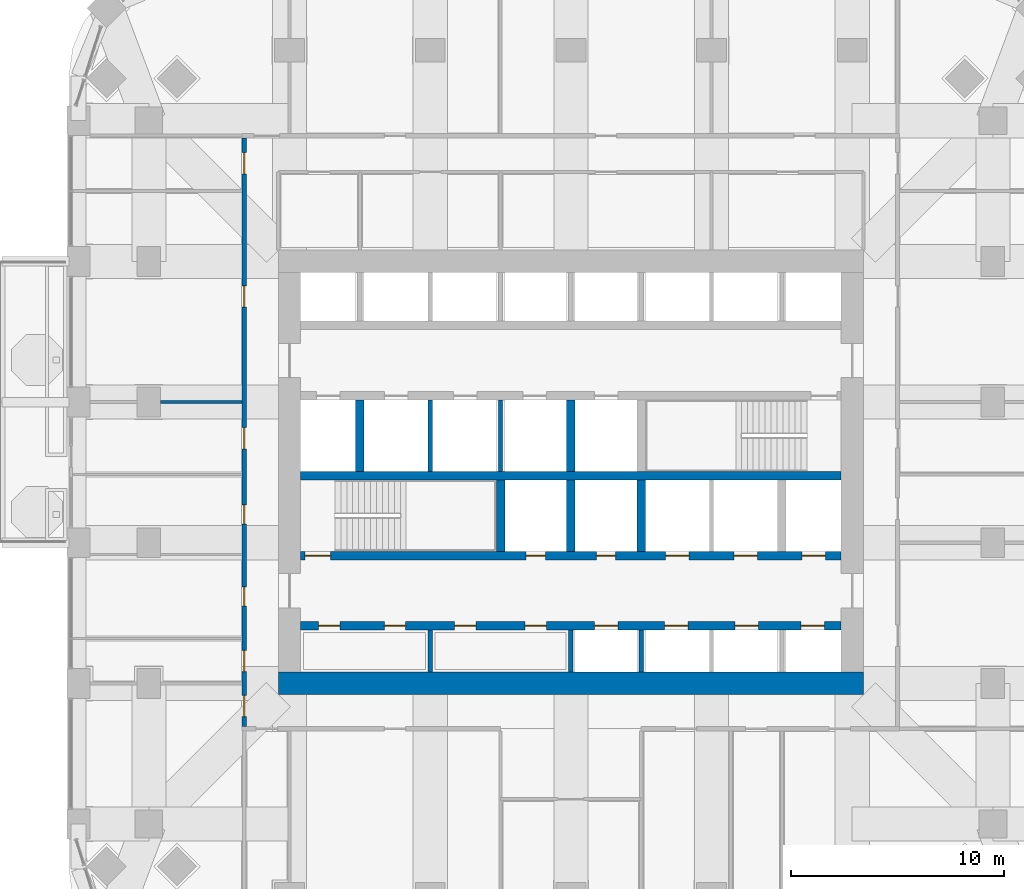
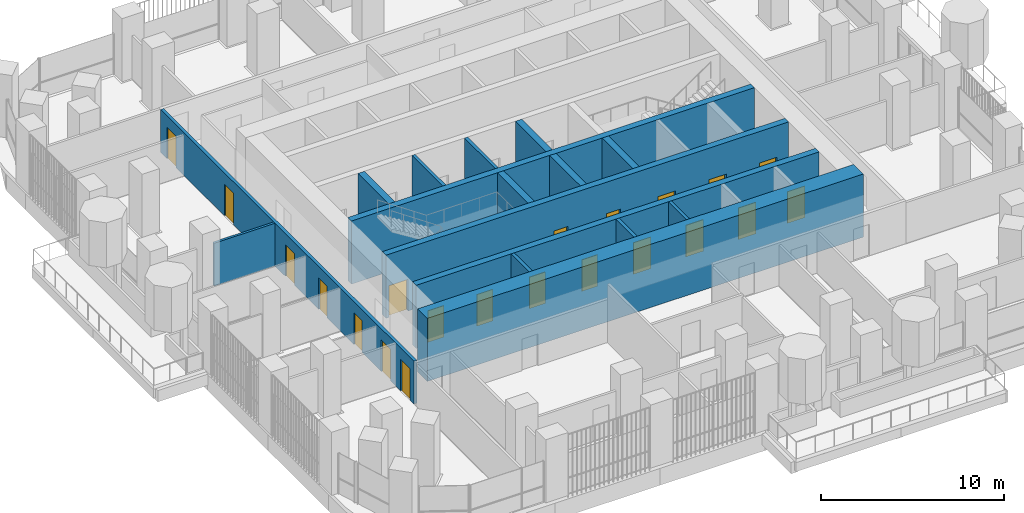
# One storey, part 15 of 23: 21 doors, 16 walls, 21 openings.
"""IFC4 building model written with IfcOpenShell, lengths in metres."""

from ifc_helpers import new_model, si_unit, direction, frame, frame_2d, origin, place, context, subcontext, project, spatial, rectangle, extrude, material, layer, layer_set, type_object, element, fill, save


model = new_model("IFC4")

# Units and contexts
model_context = context("Model", 3, precision=1e-05, world=origin(), true_north=direction((0.0, 1.0)))
body_context = subcontext(model_context, "Body", "Model", "MODEL_VIEW")
ifc_project = project(units=[si_unit("LENGTHUNIT", "METRE"), si_unit("AREAUNIT", "SQUARE_METRE"), si_unit("VOLUMEUNIT", "CUBIC_METRE"), si_unit("PLANEANGLEUNIT", "RADIAN"), si_unit("MASSUNIT", "GRAM", prefix="KILO")], contexts=[model_context])

# Site, building, storey
site_placement = place(None, origin())
site = spatial("IfcSite", under=ifc_project, at=site_placement, CompositionType="ELEMENT")
building_placement = place(site_placement, origin())
building = spatial("IfcBuilding", under=site, at=building_placement, Name="Cobogo Forest Laboratory Tower", CompositionType="ELEMENT")
storey_placement = place(building_placement, frame((0.0, 0.0, 128.39990234375)))
storey = spatial("IfcBuildingStorey", under=building, at=storey_placement, Name="L29", CompositionType="ELEMENT", Elevation=128.39990234375)

# Wall, openings, doors
ifc_material_1 = material(Name="Concrete HA-50 (C50/60)", Category="concrete")
ifc_layer_1 = layer(ifc_material_1, 0.39990234375)
ifc_layer_set_1 = layer_set([ifc_layer_1], Name="CI400 core inner wall 400")
wall_type_1 = type_object("IfcWallType", Name="CI400 core inner wall 400", PredefinedType="SHEAR", material=ifc_layer_set_1)
wall_1_placement = place(storey_placement, frame((13.72509765625, 15.89990234375, 0.0), z_axis=(0.0, 0.0, 1.0), x_axis=(1.0, 0.0, 0.0)))
wall_1 = element("IfcWall", 1, at=wall_1_placement, inside=storey, type_object=wall_type_1, Name="Core wall CI-15.9 L29", PredefinedType="SHEAR", context=body_context, shape_type="SweptSolid", body=[
    extrude(rectangle(XDim=25.349853515625, YDim=0.39990234375, at=frame_2d((12.6748046875, 0.0))), origin(), (0.0, 0.0, 1.0), 4.2001953125),
])
opening_1_placement = place(wall_1_placement, frame((0.83740234375, 0.0, 0.0)))
opening_1 = element("IfcOpeningElement", 2, at=opening_1_placement, cuts=wall_1, Name="Opening L29-D14", PredefinedType="OPENING", context=body_context, shape_type="SweptSolid", body=[
    extrude(rectangle(XDim=1.0, YDim=2.10009765625, at=frame_2d((0.5, 1.050048828125))), frame((0.0, 0.2099609375, 0.0), z_axis=(0.0, -1.0, 0.0), x_axis=(1.0, 0.0, 0.0)), (0.0, 0.0, 1.0), 0.419921875),
])
opening_2_placement = place(wall_1_placement, frame((3.925048828125, 0.0, 0.0)))
opening_2 = element("IfcOpeningElement", 3, at=opening_2_placement, cuts=wall_1, Name="Opening L29-D15", PredefinedType="OPENING", context=body_context, shape_type="SweptSolid", body=[
    extrude(rectangle(XDim=1.0, YDim=2.10009765625, at=frame_2d((0.5, 1.050048828125))), frame((0.0, 0.2099609375, 0.0), z_axis=(0.0, -1.0, 0.0), x_axis=(1.0, 0.0, 0.0)), (0.0, 0.0, 1.0), 0.419921875),
])
opening_3_placement = place(wall_1_placement, frame((7.22509765625, 0.0, 0.0)))
opening_3 = element("IfcOpeningElement", 4, at=opening_3_placement, cuts=wall_1, Name="Opening L29-D16", PredefinedType="OPENING", context=body_context, shape_type="SweptSolid", body=[
    extrude(rectangle(XDim=1.0, YDim=2.10009765625, at=frame_2d((0.5, 1.050048828125))), frame((0.0, 0.2099609375, 0.0), z_axis=(0.0, -1.0, 0.0), x_axis=(1.0, 0.0, 0.0)), (0.0, 0.0, 1.0), 0.419921875),
])
opening_4_placement = place(wall_1_placement, frame((10.52490234375, 0.0, 0.0)))
opening_4 = element("IfcOpeningElement", 5, at=opening_4_placement, cuts=wall_1, Name="Opening L29-D17", PredefinedType="OPENING", context=body_context, shape_type="SweptSolid", body=[
    extrude(rectangle(XDim=1.0, YDim=2.10009765625, at=frame_2d((0.5, 1.050048828125))), frame((0.0, 0.2099609375, 0.0), z_axis=(0.0, -1.0, 0.0), x_axis=(1.0, 0.0, 0.0)), (0.0, 0.0, 1.0), 0.419921875),
])
opening_5_placement = place(wall_1_placement, frame((13.77490234375, 0.0, 0.0)))
opening_5 = element("IfcOpeningElement", 6, at=opening_5_placement, cuts=wall_1, Name="Opening L29-LD-LB1", PredefinedType="OPENING", context=body_context, shape_type="SweptSolid", body=[
    extrude(rectangle(XDim=1.10009765625, YDim=2.10009765625, at=frame_2d((0.550048828125, 1.050048828125))), frame((0.0, 0.2099609375, 0.0), z_axis=(0.0, -1.0, 0.0), x_axis=(1.0, 0.0, 0.0)), (0.0, 0.0, 1.0), 0.419921875),
])
opening_6_placement = place(wall_1_placement, frame((17.074951171875, 0.0, 0.0)))
opening_6 = element("IfcOpeningElement", 7, at=opening_6_placement, cuts=wall_1, Name="Opening L29-LD-LB2", PredefinedType="OPENING", context=body_context, shape_type="SweptSolid", body=[
    extrude(rectangle(XDim=1.10009765625, YDim=2.10009765625, at=frame_2d((0.550048828125, 1.050048828125))), frame((0.0, 0.2099609375, 0.0), z_axis=(0.0, -1.0, 0.0), x_axis=(1.0, 0.0, 0.0)), (0.0, 0.0, 1.0), 0.419921875),
])
opening_7_placement = place(wall_1_placement, frame((20.375, 0.0, 0.0)))
opening_7 = element("IfcOpeningElement", 8, at=opening_7_placement, cuts=wall_1, Name="Opening L29-LD-LB3", PredefinedType="OPENING", context=body_context, shape_type="SweptSolid", body=[
    extrude(rectangle(XDim=1.10009765625, YDim=2.10009765625, at=frame_2d((0.550048828125, 1.050048828125))), frame((0.0, 0.2099609375, 0.0), z_axis=(0.0, -1.0, 0.0), x_axis=(1.0, 0.0, 0.0)), (0.0, 0.0, 1.0), 0.419921875),
])
opening_8_placement = place(wall_1_placement, frame((23.46240234375, 0.0, 0.0)))
opening_8 = element("IfcOpeningElement", 9, at=opening_8_placement, cuts=wall_1, Name="Opening L29-LD-LB4", PredefinedType="OPENING", context=body_context, shape_type="SweptSolid", body=[
    extrude(rectangle(XDim=1.10009765625, YDim=2.10009765625, at=frame_2d((0.550048828125, 1.050048828125))), frame((0.0, 0.2099609375, 0.0), z_axis=(0.0, -1.0, 0.0), x_axis=(1.0, 0.0, 0.0)), (0.0, 0.0, 1.0), 0.419921875),
])
ifc_material_2 = material(Name="Steel fire door", Category="steel")
door_type_1 = type_object("IfcDoorType", Name="FD1 fire door 1000 EI2 60", OperationType="SINGLE_SWING_LEFT", PredefinedType="DOOR", material=ifc_material_2)
door_1_placement = place(opening_1_placement, origin())
door_1 = element("IfcDoor", 10, at=door_1_placement, inside=storey, type_object=door_type_1, Name="Door L29-SH-LA1", OperationType="SINGLE_SWING_LEFT", OverallHeight=2.10009765625, OverallWidth=1.0, PredefinedType="DOOR", context=body_context, shape_type="SweptSolid", body=[
    extrude(rectangle(XDim=1.0, YDim=2.10009765625, at=frame_2d((0.5, 1.050048828125))), frame((0.0, 0.02490234375, 0.0), z_axis=(0.0, -1.0, 0.0), x_axis=(1.0, 0.0, 0.0)), (0.0, 0.0, 1.0), 0.050048828125),
])
fill(opening_1, door_1)
door_2_placement = place(opening_2_placement, origin())
door_2 = element("IfcDoor", 11, at=door_2_placement, inside=storey, type_object=door_type_1, Name="Door L29-SH-LA2", OperationType="SINGLE_SWING_LEFT", OverallHeight=2.10009765625, OverallWidth=1.0, PredefinedType="DOOR", context=body_context, shape_type="SweptSolid", body=[
    extrude(rectangle(XDim=1.0, YDim=2.10009765625, at=frame_2d((0.5, 1.050048828125))), frame((0.0, 0.02490234375, 0.0), z_axis=(0.0, -1.0, 0.0), x_axis=(1.0, 0.0, 0.0)), (0.0, 0.0, 1.0), 0.050048828125),
])
fill(opening_2, door_2)
door_3_placement = place(opening_3_placement, origin())
door_3 = element("IfcDoor", 12, at=door_3_placement, inside=storey, type_object=door_type_1, Name="Door L29-SH-LA3", OperationType="SINGLE_SWING_LEFT", OverallHeight=2.10009765625, OverallWidth=1.0, PredefinedType="DOOR", context=body_context, shape_type="SweptSolid", body=[
    extrude(rectangle(XDim=1.0, YDim=2.10009765625, at=frame_2d((0.5, 1.050048828125))), frame((0.0, 0.02490234375, 0.0), z_axis=(0.0, -1.0, 0.0), x_axis=(1.0, 0.0, 0.0)), (0.0, 0.0, 1.0), 0.050048828125),
])
fill(opening_3, door_3)
door_4_placement = place(opening_4_placement, origin())
door_4 = element("IfcDoor", 13, at=door_4_placement, inside=storey, type_object=door_type_1, Name="Door L29-SH-LA4", OperationType="SINGLE_SWING_LEFT", OverallHeight=2.10009765625, OverallWidth=1.0, PredefinedType="DOOR", context=body_context, shape_type="SweptSolid", body=[
    extrude(rectangle(XDim=1.0, YDim=2.10009765625, at=frame_2d((0.5, 1.050048828125))), frame((0.0, 0.02490234375, 0.0), z_axis=(0.0, -1.0, 0.0), x_axis=(1.0, 0.0, 0.0)), (0.0, 0.0, 1.0), 0.050048828125),
])
fill(opening_4, door_4)
ifc_material_3 = material(Name="Stainless steel lift door", Category="steel")
door_type_2 = type_object("IfcDoorType", Name="LD lift landing door 1100", OperationType="DOUBLE_DOOR_SLIDING", PredefinedType="DOOR", material=ifc_material_3)
door_5_placement = place(opening_5_placement, origin())
door_5 = element("IfcDoor", 14, at=door_5_placement, inside=storey, type_object=door_type_2, Name="Lift landing door LB1 L29", OperationType="DOUBLE_DOOR_SLIDING", OverallHeight=2.10009765625, OverallWidth=1.10009765625, PredefinedType="DOOR", context=body_context, shape_type="SweptSolid", body=[
    extrude(rectangle(XDim=1.10009765625, YDim=2.10009765625, at=frame_2d((0.550048828125, 1.050048828125))), frame((0.0, 0.02490234375, 0.0), z_axis=(0.0, -1.0, 0.0), x_axis=(1.0, 0.0, 0.0)), (0.0, 0.0, 1.0), 0.050048828125),
])
fill(opening_5, door_5)
door_6_placement = place(opening_6_placement, origin())
door_6 = element("IfcDoor", 15, at=door_6_placement, inside=storey, type_object=door_type_2, Name="Lift landing door LB2 L29", OperationType="DOUBLE_DOOR_SLIDING", OverallHeight=2.10009765625, OverallWidth=1.10009765625, PredefinedType="DOOR", context=body_context, shape_type="SweptSolid", body=[
    extrude(rectangle(XDim=1.10009765625, YDim=2.10009765625, at=frame_2d((0.550048828125, 1.050048828125))), frame((0.0, 0.02490234375, 0.0), z_axis=(0.0, -1.0, 0.0), x_axis=(1.0, 0.0, 0.0)), (0.0, 0.0, 1.0), 0.050048828125),
])
fill(opening_6, door_6)
door_7_placement = place(opening_7_placement, origin())
door_7 = element("IfcDoor", 16, at=door_7_placement, inside=storey, type_object=door_type_2, Name="Lift landing door LB3 L29", OperationType="DOUBLE_DOOR_SLIDING", OverallHeight=2.10009765625, OverallWidth=1.10009765625, PredefinedType="DOOR", context=body_context, shape_type="SweptSolid", body=[
    extrude(rectangle(XDim=1.10009765625, YDim=2.10009765625, at=frame_2d((0.550048828125, 1.050048828125))), frame((0.0, 0.02490234375, 0.0), z_axis=(0.0, -1.0, 0.0), x_axis=(1.0, 0.0, 0.0)), (0.0, 0.0, 1.0), 0.050048828125),
])
fill(opening_7, door_7)
door_8_placement = place(opening_8_placement, origin())
door_8 = element("IfcDoor", 17, at=door_8_placement, inside=storey, type_object=door_type_2, Name="Lift landing door LB4 L29", OperationType="DOUBLE_DOOR_SLIDING", OverallHeight=2.10009765625, OverallWidth=1.10009765625, PredefinedType="DOOR", context=body_context, shape_type="SweptSolid", body=[
    extrude(rectangle(XDim=1.10009765625, YDim=2.10009765625, at=frame_2d((0.550048828125, 1.050048828125))), frame((0.0, 0.02490234375, 0.0), z_axis=(0.0, -1.0, 0.0), x_axis=(1.0, 0.0, 0.0)), (0.0, 0.0, 1.0), 0.050048828125),
])
fill(opening_8, door_8)

wall_2_placement = place(storey_placement, frame((13.72509765625, 19.199951171875, 0.0), z_axis=(0.0, 0.0, 1.0), x_axis=(1.0, 0.0, 0.0)))
wall_2 = element("IfcWall", 18, at=wall_2_placement, inside=storey, type_object=wall_type_1, Name="Core wall CI-19.2 L29", PredefinedType="SHEAR", context=body_context, shape_type="SweptSolid", body=[
    extrude(rectangle(XDim=25.349853515625, YDim=0.39990234375, at=frame_2d((12.6748046875, 0.0))), origin(), (0.0, 0.0, 1.0), 4.2001953125),
])
opening_9_placement = place(wall_2_placement, frame((10.574951171875, 0.0, 0.0)))
opening_9 = element("IfcOpeningElement", 19, at=opening_9_placement, cuts=wall_2, Name="Opening L29-D22", PredefinedType="OPENING", context=body_context, shape_type="SweptSolid", body=[
    extrude(rectangle(XDim=0.89990234375, YDim=2.10009765625, at=frame_2d((0.449951171875, 1.050048828125))), frame((0.0, 0.2099609375, 0.0), z_axis=(0.0, -1.0, 0.0), x_axis=(1.0, 0.0, 0.0)), (0.0, 0.0, 1.0), 0.419921875),
])
opening_10_placement = place(wall_2_placement, frame((13.875, 0.0, 0.0)))
opening_10 = element("IfcOpeningElement", 20, at=opening_10_placement, cuts=wall_2, Name="Opening L29-D23", PredefinedType="OPENING", context=body_context, shape_type="SweptSolid", body=[
    extrude(rectangle(XDim=0.89990234375, YDim=2.10009765625, at=frame_2d((0.449951171875, 1.050048828125))), frame((0.0, 0.2099609375, 0.0), z_axis=(0.0, -1.0, 0.0), x_axis=(1.0, 0.0, 0.0)), (0.0, 0.0, 1.0), 0.419921875),
])
opening_11_placement = place(wall_2_placement, frame((0.199951171875, 0.0, 0.0)))
opening_11 = element("IfcOpeningElement", 21, at=opening_11_placement, cuts=wall_2, Name="Opening L29-D21", PredefinedType="OPENING", context=body_context, shape_type="SweptSolid", body=[
    extrude(rectangle(XDim=1.199951171875, YDim=2.10009765625, at=frame_2d((0.60009765625, 1.050048828125))), frame((0.0, 0.2099609375, 0.0), z_axis=(0.0, -1.0, 0.0), x_axis=(1.0, 0.0, 0.0)), (0.0, 0.0, 1.0), 0.419921875),
])
opening_12_placement = place(wall_2_placement, frame((23.512451171875, 0.0, 0.0)))
opening_12 = element("IfcOpeningElement", 22, at=opening_12_placement, cuts=wall_2, Name="Opening L29-LD-FL2", PredefinedType="OPENING", context=body_context, shape_type="SweptSolid", body=[
    extrude(rectangle(XDim=1.10009765625, YDim=2.10009765625, at=frame_2d((0.550048828125, 1.050048828125))), frame((0.0, 0.2099609375, 0.0), z_axis=(0.0, -1.0, 0.0), x_axis=(1.0, 0.0, 0.0)), (0.0, 0.0, 1.0), 0.419921875),
])
opening_13_placement = place(wall_2_placement, frame((17.125, 0.0, 0.0)))
opening_13 = element("IfcOpeningElement", 23, at=opening_13_placement, cuts=wall_2, Name="Opening L29-LD-LS1", PredefinedType="OPENING", context=body_context, shape_type="SweptSolid", body=[
    extrude(rectangle(XDim=1.10009765625, YDim=2.10009765625, at=frame_2d((0.550048828125, 1.050048828125))), frame((0.0, 0.2099609375, 0.0), z_axis=(0.0, -1.0, 0.0), x_axis=(1.0, 0.0, 0.0)), (0.0, 0.0, 1.0), 0.419921875),
])
opening_14_placement = place(wall_2_placement, frame((20.324951171875, 0.0, 0.0)))
opening_14 = element("IfcOpeningElement", 24, at=opening_14_placement, cuts=wall_2, Name="Opening L29-LD-LS2", PredefinedType="OPENING", context=body_context, shape_type="SweptSolid", body=[
    extrude(rectangle(XDim=1.10009765625, YDim=2.10009765625, at=frame_2d((0.550048828125, 1.050048828125))), frame((0.0, 0.2099609375, 0.0), z_axis=(0.0, -1.0, 0.0), x_axis=(1.0, 0.0, 0.0)), (0.0, 0.0, 1.0), 0.419921875),
])
door_type_3 = type_object("IfcDoorType", Name="DS1 protected stair door 1200 EI2 60", OperationType="SINGLE_SWING_LEFT", PredefinedType="DOOR", material=ifc_material_2)
door_9_placement = place(opening_11_placement, origin())
door_9 = element("IfcDoor", 25, at=door_9_placement, inside=storey, type_object=door_type_3, Name="Door L29-ST1", OperationType="SINGLE_SWING_LEFT", OverallHeight=2.10009765625, OverallWidth=1.199951171875, PredefinedType="DOOR", context=body_context, shape_type="SweptSolid", body=[
    extrude(rectangle(XDim=1.199951171875, YDim=2.10009765625, at=frame_2d((0.60009765625, 1.050048828125))), frame((0.0, 0.02490234375, 0.0), z_axis=(0.0, -1.0, 0.0), x_axis=(1.0, 0.0, 0.0)), (0.0, 0.0, 1.0), 0.050048828125),
])
fill(opening_11, door_9)
door_type_4 = type_object("IfcDoorType", Name="FD4 riser access door 900 EI2 60", OperationType="SINGLE_SWING_LEFT", PredefinedType="DOOR", material=ifc_material_2)
door_10_placement = place(opening_9_placement, origin())
door_10 = element("IfcDoor", 26, at=door_10_placement, inside=storey, type_object=door_type_4, Name="Door L29-R1", OperationType="SINGLE_SWING_LEFT", OverallHeight=2.10009765625, OverallWidth=0.89990234375, PredefinedType="DOOR", context=body_context, shape_type="SweptSolid", body=[
    extrude(rectangle(XDim=0.89990234375, YDim=2.10009765625, at=frame_2d((0.449951171875, 1.050048828125))), frame((0.0, 0.02490234375, 0.0), z_axis=(0.0, -1.0, 0.0), x_axis=(1.0, 0.0, 0.0)), (0.0, 0.0, 1.0), 0.050048828125),
])
fill(opening_9, door_10)
door_11_placement = place(opening_10_placement, origin())
door_11 = element("IfcDoor", 27, at=door_11_placement, inside=storey, type_object=door_type_4, Name="Door L29-R2", OperationType="SINGLE_SWING_RIGHT", OverallHeight=2.10009765625, OverallWidth=0.89990234375, PredefinedType="DOOR", context=body_context, shape_type="SweptSolid", body=[
    extrude(rectangle(XDim=0.89990234375, YDim=2.10009765625, at=frame_2d((0.449951171875, 1.050048828125))), frame((0.0, 0.02490234375, 0.0), z_axis=(0.0, -1.0, 0.0), x_axis=(1.0, 0.0, 0.0)), (0.0, 0.0, 1.0), 0.050048828125),
])
fill(opening_10, door_11)
door_12_placement = place(opening_12_placement, origin())
door_12 = element("IfcDoor", 28, at=door_12_placement, inside=storey, type_object=door_type_2, Name="Lift landing door FL2 L29", OperationType="DOUBLE_DOOR_SLIDING", OverallHeight=2.10009765625, OverallWidth=1.10009765625, PredefinedType="DOOR", context=body_context, shape_type="SweptSolid", body=[
    extrude(rectangle(XDim=1.10009765625, YDim=2.10009765625, at=frame_2d((0.550048828125, 1.050048828125))), frame((0.0, 0.02490234375, 0.0), z_axis=(0.0, -1.0, 0.0), x_axis=(1.0, 0.0, 0.0)), (0.0, 0.0, 1.0), 0.050048828125),
])
fill(opening_12, door_12)
door_13_placement = place(opening_13_placement, origin())
door_13 = element("IfcDoor", 29, at=door_13_placement, inside=storey, type_object=door_type_2, Name="Lift landing door LS1 L29", OperationType="DOUBLE_DOOR_SLIDING", OverallHeight=2.10009765625, OverallWidth=1.10009765625, PredefinedType="DOOR", context=body_context, shape_type="SweptSolid", body=[
    extrude(rectangle(XDim=1.10009765625, YDim=2.10009765625, at=frame_2d((0.550048828125, 1.050048828125))), frame((0.0, 0.02490234375, 0.0), z_axis=(0.0, -1.0, 0.0), x_axis=(1.0, 0.0, 0.0)), (0.0, 0.0, 1.0), 0.050048828125),
])
fill(opening_13, door_13)
door_14_placement = place(opening_14_placement, origin())
door_14 = element("IfcDoor", 30, at=door_14_placement, inside=storey, type_object=door_type_2, Name="Lift landing door LS2 L29", OperationType="DOUBLE_DOOR_SLIDING", OverallHeight=2.10009765625, OverallWidth=1.10009765625, PredefinedType="DOOR", context=body_context, shape_type="SweptSolid", body=[
    extrude(rectangle(XDim=1.10009765625, YDim=2.10009765625, at=frame_2d((0.550048828125, 1.050048828125))), frame((0.0, 0.02490234375, 0.0), z_axis=(0.0, -1.0, 0.0), x_axis=(1.0, 0.0, 0.0)), (0.0, 0.0, 1.0), 0.050048828125),
])
fill(opening_14, door_14)

# Walls
wall_3_placement = place(storey_placement, frame((13.72509765625, 22.949951171875, 0.0), z_axis=(0.0, 0.0, 1.0), x_axis=(1.0, 0.0, 0.0)))
element("IfcWall", 31, at=wall_3_placement, inside=storey, type_object=wall_type_1, Name="Core wall CI-22.95 L29", PredefinedType="SHEAR", context=body_context, shape_type="SweptSolid", body=[
    extrude(rectangle(XDim=25.349853515625, YDim=0.39990234375, at=frame_2d((12.6748046875, 0.0))), origin(), (0.0, 0.0, 1.0), 4.2001953125),
])
for number, where, z_axis, x_axis, name in (
    (32, (23.10009765625, 19.39990234375, 0.0), (0.0, 0.0, 1.0), (0.0, 1.0, 0.0), "Core wall CX-23.1 L29"),
    (33, (26.39990234375, 19.39990234375, 0.0), (0.0, 0.0, 1.0), (0.0, 1.0, 0.0), "Core wall CX-26.4S L29"),
    (34, (29.699951171875, 19.39990234375, 0.0), (0.0, 0.0, 1.0), (0.0, 1.0, 0.0), "Core wall CX-29.7S L29"),
    (35, (16.5, 23.14990234375, 0.0), (0.0, 0.0, 1.0), (0.0, 1.0, 0.0), "Core wall CX-16.5 L29"),
    (36, (26.39990234375, 23.14990234375, 0.0), (0.0, 0.0, 1.0), (0.0, 1.0, 0.0), "Core wall CX-26.4N L29"),
):
    element("IfcWall", number, at=place(storey_placement, frame(where, z_axis=z_axis, x_axis=x_axis)), inside=storey, type_object=wall_type_1, Name=name, PredefinedType="SHEAR", context=body_context, shape_type="SweptSolid", body=[
        extrude(rectangle(XDim=3.35009765625, YDim=0.39990234375, at=frame_2d((1.675048828125, 0.0))), origin(), (0.0, 0.0, 1.0), 4.2001953125),
    ])
ifc_layer_2 = layer(ifc_material_1, 1.050048828125)
ifc_layer_set_2 = layer_set([ifc_layer_2], Name="CW1050 core outer wall 1050")
wall_type_2 = type_object("IfcWallType", Name="CW1050 core outer wall 1050", PredefinedType="SHEAR", material=ifc_layer_set_2)
wall_4_placement = place(storey_placement, frame((12.675048828125, 13.199951171875, 0.0), z_axis=(0.0, 0.0, 1.0), x_axis=(1.0, 0.0, 0.0)))
element("IfcWall", 37, at=wall_4_placement, inside=storey, type_object=wall_type_2, Name="Core wall CO-S L29", PredefinedType="SHEAR", context=body_context, shape_type="SweptSolid", body=[
    extrude(rectangle(XDim=27.449951171875, YDim=1.050048828125, at=frame_2d((13.72509765625, 0.0))), origin(), (0.0, 0.0, 1.0), 4.2001953125),
])
ifc_material_4 = material(Name="Gypsum board on steel studs", Category="steel")
ifc_layer_3 = layer(ifc_material_4, 0.14990234375)
ifc_layer_set_3 = layer_set([ifc_layer_3], Name="PT1 laboratory partition 150")
wall_type_3 = type_object("IfcWallType", Name="PT1 laboratory partition 150", PredefinedType="PARTITIONING", material=ifc_layer_set_3)
wall_5_placement = place(storey_placement, frame((7.14990234375, 26.39990234375, 0.0), z_axis=(0.0, 0.0, 1.0), x_axis=(1.0, 0.0, 0.0)))
element("IfcWall", 38, at=wall_5_placement, inside=storey, type_object=wall_type_3, Name="Partition CUT-W26.4-2 L29", PredefinedType="PARTITIONING", context=body_context, shape_type="SweptSolid", body=[
    extrude(rectangle(XDim=3.8251953125, YDim=0.14990234375, at=frame_2d((1.91259765625, 0.0))), origin(), (0.0, 0.0, 1.0), 2.85009765625),
])

# Wall, openings, doors
ifc_layer_4 = layer(ifc_material_4, 0.199951171875)
ifc_layer_set_4 = layer_set([ifc_layer_4], Name="PT2 fire-rated corridor partition 200")
wall_type_4 = type_object("IfcWallType", Name="PT2 fire-rated corridor partition 200", PredefinedType="PARTITIONING", material=ifc_layer_set_4)
wall_6_placement = place(storey_placement, frame((11.074951171875, 11.175048828125, 0.0), z_axis=(0.0, 0.0, 1.0), x_axis=(0.0, 1.0, 0.0)))
wall_6 = element("IfcWall", 39, at=wall_6_placement, inside=storey, type_object=wall_type_4, Name="Partition CORR-W L29", PredefinedType="PARTITIONING", context=body_context, shape_type="SweptSolid", body=[
    extrude(rectangle(XDim=27.625, YDim=0.199951171875, at=frame_2d((13.8125, 0.0))), origin(), (0.0, 0.0, 1.0), 2.85009765625),
])
opening_15_placement = place(wall_6_placement, frame((0.46240234375, 0.0, 0.0)))
opening_15 = element("IfcOpeningElement", 40, at=opening_15_placement, cuts=wall_6, Name="Opening L29-D11", PredefinedType="OPENING", context=body_context, shape_type="SweptSolid", body=[
    extrude(rectangle(XDim=1.0, YDim=2.10009765625, at=frame_2d((0.5, 1.050048828125))), frame((0.0, 0.10986328125, 0.0), z_axis=(0.0, -1.0, 0.0), x_axis=(1.0, 0.0, 0.0)), (0.0, 0.0, 1.0), 0.219970703125),
])
opening_16_placement = place(wall_6_placement, frame((2.574951171875, 0.0, 0.0)))
opening_16 = element("IfcOpeningElement", 41, at=opening_16_placement, cuts=wall_6, Name="Opening L29-D12", PredefinedType="OPENING", context=body_context, shape_type="SweptSolid", body=[
    extrude(rectangle(XDim=1.0, YDim=2.10009765625, at=frame_2d((0.5, 1.050048828125))), frame((0.0, 0.10986328125, 0.0), z_axis=(0.0, -1.0, 0.0), x_axis=(1.0, 0.0, 0.0)), (0.0, 0.0, 1.0), 0.219970703125),
])
opening_17_placement = place(wall_6_placement, frame((5.64990234375, 0.0, 0.0)))
opening_17 = element("IfcOpeningElement", 42, at=opening_17_placement, cuts=wall_6, Name="Opening L29-D18", PredefinedType="OPENING", context=body_context, shape_type="SweptSolid", body=[
    extrude(rectangle(XDim=0.89990234375, YDim=2.10009765625, at=frame_2d((0.449951171875, 1.050048828125))), frame((0.0, 0.10986328125, 0.0), z_axis=(0.0, -1.0, 0.0), x_axis=(1.0, 0.0, 0.0)), (0.0, 0.0, 1.0), 0.219970703125),
])
opening_18_placement = place(wall_6_placement, frame((9.5, 0.0, 0.0)))
opening_18 = element("IfcOpeningElement", 43, at=opening_18_placement, cuts=wall_6, Name="Opening L29-D24", PredefinedType="OPENING", context=body_context, shape_type="SweptSolid", body=[
    extrude(rectangle(XDim=0.89990234375, YDim=2.10009765625, at=frame_2d((0.449951171875, 1.050048828125))), frame((0.0, 0.10986328125, 0.0), z_axis=(0.0, -1.0, 0.0), x_axis=(1.0, 0.0, 0.0)), (0.0, 0.0, 1.0), 0.219970703125),
])
opening_19_placement = place(wall_6_placement, frame((13.02490234375, 0.0, 0.0)))
opening_19 = element("IfcOpeningElement", 44, at=opening_19_placement, cuts=wall_6, Name="Opening L29-D28", PredefinedType="OPENING", context=body_context, shape_type="SweptSolid", body=[
    extrude(rectangle(XDim=1.0, YDim=2.10009765625, at=frame_2d((0.5, 1.050048828125))), frame((0.0, 0.10986328125, 0.0), z_axis=(0.0, -1.0, 0.0), x_axis=(1.0, 0.0, 0.0)), (0.0, 0.0, 1.0), 0.219970703125),
])
opening_20_placement = place(wall_6_placement, frame((19.675048828125, 0.0, 0.0)))
opening_20 = element("IfcOpeningElement", 45, at=opening_20_placement, cuts=wall_6, Name="Opening L29-D33", PredefinedType="OPENING", context=body_context, shape_type="SweptSolid", body=[
    extrude(rectangle(XDim=1.0, YDim=2.10009765625, at=frame_2d((0.5, 1.050048828125))), frame((0.0, 0.10986328125, 0.0), z_axis=(0.0, -1.0, 0.0), x_axis=(1.0, 0.0, 0.0)), (0.0, 0.0, 1.0), 0.219970703125),
])
opening_21_placement = place(wall_6_placement, frame((25.925048828125, 0.0, 0.0)))
opening_21 = element("IfcOpeningElement", 46, at=opening_21_placement, cuts=wall_6, Name="Opening L29-D39", PredefinedType="OPENING", context=body_context, shape_type="SweptSolid", body=[
    extrude(rectangle(XDim=1.0, YDim=2.10009765625, at=frame_2d((0.5, 1.050048828125))), frame((0.0, 0.10986328125, 0.0), z_axis=(0.0, -1.0, 0.0), x_axis=(1.0, 0.0, 0.0)), (0.0, 0.0, 1.0), 0.219970703125),
])
ifc_material_5 = material(Name="Timber fire door", Category="wood")
door_type_5 = type_object("IfcDoorType", Name="FD2 fire door 1000 EI2 30", OperationType="SINGLE_SWING_LEFT", PredefinedType="DOOR", material=ifc_material_5)
door_15_placement = place(opening_15_placement, origin())
door_15 = element("IfcDoor", 47, at=door_15_placement, inside=storey, type_object=door_type_5, Name="Door L29-W1", OperationType="SINGLE_SWING_LEFT", OverallHeight=2.10009765625, OverallWidth=1.0, PredefinedType="DOOR", context=body_context, shape_type="SweptSolid", body=[
    extrude(rectangle(XDim=1.0, YDim=2.10009765625, at=frame_2d((0.5, 1.050048828125))), frame((0.0, 0.02490234375, 0.0), z_axis=(0.0, -1.0, 0.0), x_axis=(1.0, 0.0, 0.0)), (0.0, 0.0, 1.0), 0.050048828125),
])
fill(opening_15, door_15)
door_16_placement = place(opening_19_placement, origin())
door_16 = element("IfcDoor", 48, at=door_16_placement, inside=storey, type_object=door_type_5, Name="Door L29-SHW", OperationType="SINGLE_SWING_LEFT", OverallHeight=2.10009765625, OverallWidth=1.0, PredefinedType="DOOR", context=body_context, shape_type="SweptSolid", body=[
    extrude(rectangle(XDim=1.0, YDim=2.10009765625, at=frame_2d((0.5, 1.050048828125))), frame((0.0, 0.02490234375, 0.0), z_axis=(0.0, -1.0, 0.0), x_axis=(1.0, 0.0, 0.0)), (0.0, 0.0, 1.0), 0.050048828125),
])
fill(opening_19, door_16)
door_17_placement = place(opening_20_placement, origin())
door_17 = element("IfcDoor", 49, at=door_17_placement, inside=storey, type_object=door_type_5, Name="Door L29-W3", OperationType="SINGLE_SWING_RIGHT", OverallHeight=2.10009765625, OverallWidth=1.0, PredefinedType="DOOR", context=body_context, shape_type="SweptSolid", body=[
    extrude(rectangle(XDim=1.0, YDim=2.10009765625, at=frame_2d((0.5, 1.050048828125))), frame((0.0, 0.02490234375, 0.0), z_axis=(0.0, -1.0, 0.0), x_axis=(1.0, 0.0, 0.0)), (0.0, 0.0, 1.0), 0.050048828125),
])
fill(opening_20, door_17)
door_18_placement = place(opening_21_placement, origin())
door_18 = element("IfcDoor", 50, at=door_18_placement, inside=storey, type_object=door_type_5, Name="Door L29-W4", OperationType="SINGLE_SWING_RIGHT", OverallHeight=2.10009765625, OverallWidth=1.0, PredefinedType="DOOR", context=body_context, shape_type="SweptSolid", body=[
    extrude(rectangle(XDim=1.0, YDim=2.10009765625, at=frame_2d((0.5, 1.050048828125))), frame((0.0, 0.02490234375, 0.0), z_axis=(0.0, -1.0, 0.0), x_axis=(1.0, 0.0, 0.0)), (0.0, 0.0, 1.0), 0.050048828125),
])
fill(opening_21, door_18)
door_type_6 = type_object("IfcDoorType", Name="FD3 toilet fire door 900 EI2 30", OperationType="SINGLE_SWING_LEFT", PredefinedType="DOOR", material=ifc_material_5)
door_19_placement = place(opening_17_placement, origin())
door_19 = element("IfcDoor", 51, at=door_19_placement, inside=storey, type_object=door_type_6, Name="Door L29-WCF", OperationType="SINGLE_SWING_LEFT", OverallHeight=2.10009765625, OverallWidth=0.89990234375, PredefinedType="DOOR", context=body_context, shape_type="SweptSolid", body=[
    extrude(rectangle(XDim=0.89990234375, YDim=2.10009765625, at=frame_2d((0.449951171875, 1.050048828125))), frame((0.0, 0.02490234375, 0.0), z_axis=(0.0, -1.0, 0.0), x_axis=(1.0, 0.0, 0.0)), (0.0, 0.0, 1.0), 0.050048828125),
])
fill(opening_17, door_19)
door_20_placement = place(opening_18_placement, origin())
door_20 = element("IfcDoor", 52, at=door_20_placement, inside=storey, type_object=door_type_6, Name="Door L29-WCM", OperationType="SINGLE_SWING_LEFT", OverallHeight=2.10009765625, OverallWidth=0.89990234375, PredefinedType="DOOR", context=body_context, shape_type="SweptSolid", body=[
    extrude(rectangle(XDim=0.89990234375, YDim=2.10009765625, at=frame_2d((0.449951171875, 1.050048828125))), frame((0.0, 0.02490234375, 0.0), z_axis=(0.0, -1.0, 0.0), x_axis=(1.0, 0.0, 0.0)), (0.0, 0.0, 1.0), 0.050048828125),
])
fill(opening_18, door_20)
door_type_7 = type_object("IfcDoorType", Name="FDA1 accessible toilet fire door 1000 EI2 30", OperationType="SINGLE_SWING_RIGHT", PredefinedType="DOOR", material=ifc_material_5)
door_21_placement = place(opening_16_placement, origin())
door_21 = element("IfcDoor", 53, at=door_21_placement, inside=storey, type_object=door_type_7, Name="Door L29-WCA", OperationType="SINGLE_SWING_LEFT", OverallHeight=2.10009765625, OverallWidth=1.0, PredefinedType="DOOR", context=body_context, shape_type="SweptSolid", body=[
    extrude(rectangle(XDim=1.0, YDim=2.10009765625, at=frame_2d((0.5, 1.050048828125))), frame((0.0, 0.02490234375, 0.0), z_axis=(0.0, -1.0, 0.0), x_axis=(1.0, 0.0, 0.0)), (0.0, 0.0, 1.0), 0.050048828125),
])
fill(opening_16, door_21)

# Walls
ifc_material_6 = material(Name="Concrete block", Category="concrete")
ifc_layer_5 = layer(ifc_material_6, 0.199951171875)
ifc_layer_set_5 = layer_set([ifc_layer_5], Name="SW200 lift shaft separator 200")
wall_type_5 = type_object("IfcWallType", Name="SW200 lift shaft separator 200", PredefinedType="PARTITIONING", material=ifc_layer_set_5)
for number, where, z_axis, x_axis, name in (
    (54, (19.800048828125, 13.72509765625, 0.0), (0.0, 0.0, 1.0), (0.0, 1.0, 0.0), "Core wall SEP-S2 L29"),
    (55, (26.39990234375, 13.72509765625, 0.0), (0.0, 0.0, 1.0), (0.0, 1.0, 0.0), "Core wall SEP-S4 L29"),
    (56, (29.699951171875, 13.72509765625, 0.0), (0.0, 0.0, 1.0), (0.0, 1.0, 0.0), "Core wall SEP-S5 L29"),
):
    element("IfcWall", number, at=place(storey_placement, frame(where, z_axis=z_axis, x_axis=x_axis)), inside=storey, type_object=wall_type_5, Name=name, PredefinedType="PARTITIONING", context=body_context, shape_type="SweptSolid", body=[
        extrude(rectangle(XDim=1.974853515625, YDim=0.199951171875, at=frame_2d((0.9873046875, 0.0))), origin(), (0.0, 0.0, 1.0), 4.2001953125),
    ])
for number, where, z_axis, x_axis, name in (
    (57, (19.800048828125, 23.14990234375, 0.0), (0.0, 0.0, 1.0), (0.0, 1.0, 0.0), "Core wall SEP-M19.8 L29"),
    (58, (23.10009765625, 23.14990234375, 0.0), (0.0, 0.0, 1.0), (0.0, 1.0, 0.0), "Core wall SEP-M23.1 L29"),
):
    element("IfcWall", number, at=place(storey_placement, frame(where, z_axis=z_axis, x_axis=x_axis)), inside=storey, type_object=wall_type_5, Name=name, PredefinedType="PARTITIONING", context=body_context, shape_type="SweptSolid", body=[
        extrude(rectangle(XDim=3.35009765625, YDim=0.199951171875, at=frame_2d((1.675048828125, 0.0))), origin(), (0.0, 0.0, 1.0), 4.2001953125),
    ])

save(model, "model.ifc")
